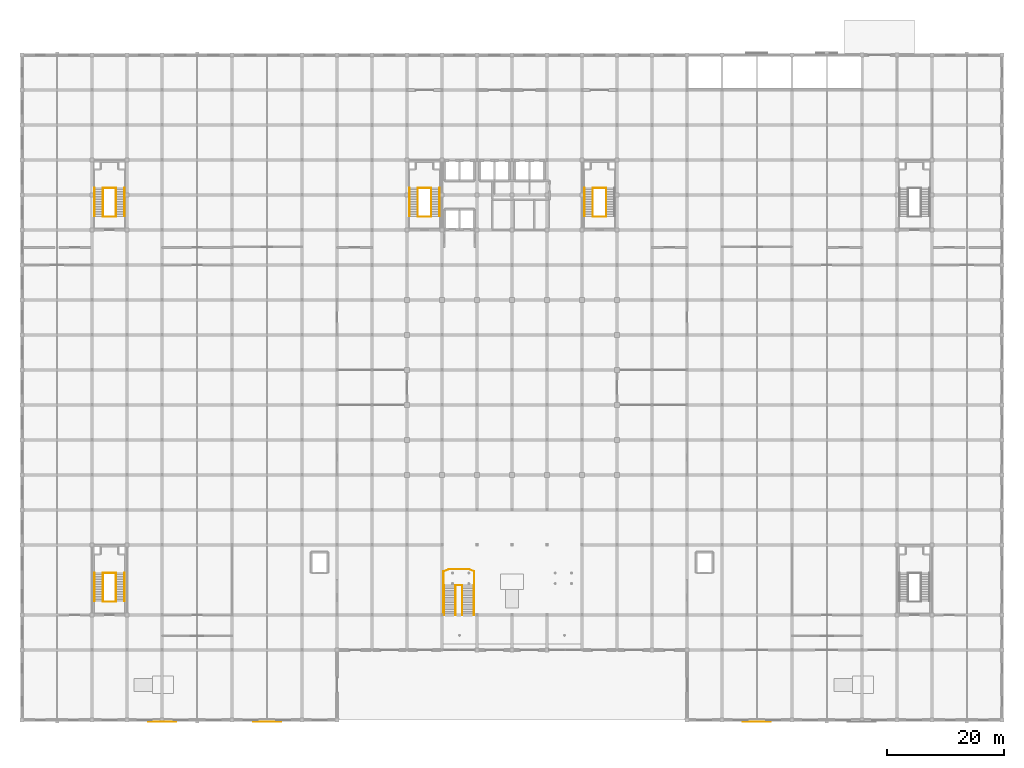
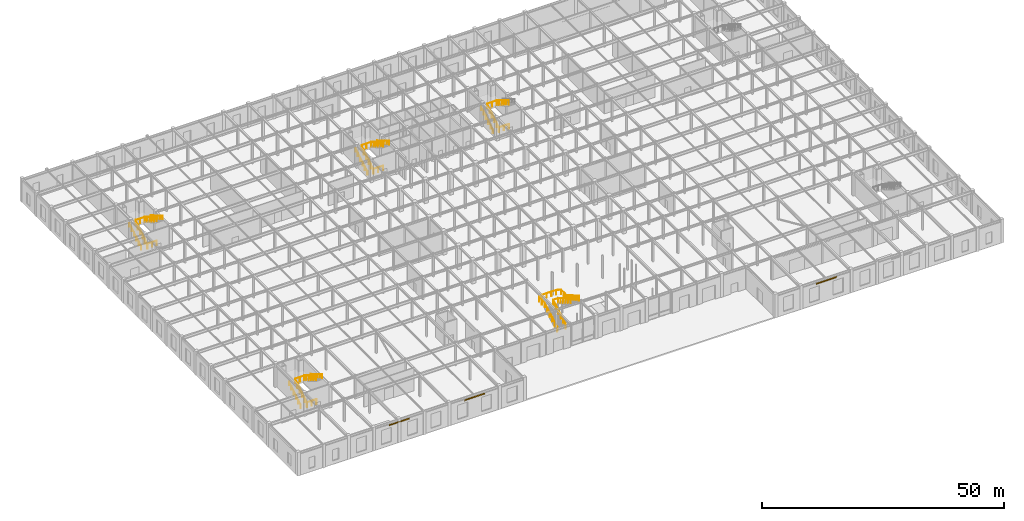
# One storey, part 50 of 51: 21 railings, 3 coverings.
"""IFC4 building model written with IfcOpenShell, lengths in metres."""

import ifcopenshell
import ifcopenshell.guid

model = None  # the IFC model being written
_history = None  # IfcOwnerHistory: only IFC2X3 demands one
_inside = {}  # id of a spatial element -> (the spatial element, [elements in it])
_under = {}  # id of a project, library or spatial element -> (it, [spatial elements below it])
_declared = {}  # id of a project -> (the project, [libraries it declares])
_typed = {}  # id of a type object -> (the type object, [elements of that type])
_made_of = {}  # id of a material, layer set ... -> (it, [elements and type objects made of it])


def new_model(schema):
    """Start an empty IFC model of exactly this schema.

    Asked for "IFC4X3", IfcOpenShell would pick the latest addendum, in which some entities
    have other attributes; the version numbers below select the first issue.
    IFC2X3 requires an IfcOwnerHistory on every rooted entity: one is made here for all.
    """
    global model, _history
    if schema == "IFC4X3":
        model = ifcopenshell.file(schema_version=(4, 3, 0, 0))
    else:
        model = ifcopenshell.file(schema=schema)
    _inside.clear()
    _under.clear()
    _declared.clear()
    _typed.clear()
    _made_of.clear()
    _history = None
    if model.schema == "IFC2X3":
        org = make("IfcOrganization", Name="unknown")
        user = make(
            "IfcPersonAndOrganization",
            ThePerson=make("IfcPerson", FamilyName="unknown"),
            TheOrganization=org,
        )
        app = make(
            "IfcApplication",
            ApplicationDeveloper=org,
            Version="unknown",
            ApplicationFullName="unknown",
            ApplicationIdentifier="unknown",
        )
        _history = make(
            "IfcOwnerHistory",
            OwningUser=user,
            OwningApplication=app,
            ChangeAction="ADDED",
            CreationDate=0,
        )
    return model


def make(cls, **values):
    """One entity of the class cls with the attributes given. An attribute that is None is left unset."""
    return model.create_entity(
        cls, **{name: value for name, value in values.items() if value is not None}
    )


def rooted(cls, **values):
    """An entity with a GlobalId (a new one), such as an element, a storey or a relation."""
    return make(cls, GlobalId=ifcopenshell.guid.new(), OwnerHistory=_history, **values)


def si_unit(unit_type, name, prefix=None):
    """IfcSIUnit, for example si_unit("LENGTHUNIT", "METRE", prefix="MILLI")."""
    return make("IfcSIUnit", UnitType=unit_type, Prefix=prefix, Name=name)


def assignment(units):
    """IfcUnitAssignment: the units of a project."""
    return None if units is None else make("IfcUnitAssignment", Units=units)


def point(xyz):
    """IfcCartesianPoint."""
    return None if xyz is None else make("IfcCartesianPoint", Coordinates=xyz)


def direction(xyz):
    """IfcDirection."""
    return None if xyz is None else make("IfcDirection", DirectionRatios=xyz)


def frame(location, z_axis=None, x_axis=None):
    """IfcAxis2Placement3D, a coordinate frame: its origin and axes. An axis left out is left unset."""
    return make(
        "IfcAxis2Placement3D",
        Location=point(location),
        Axis=direction(z_axis),
        RefDirection=direction(x_axis),
    )


def frame_2d(location, x_axis=None):
    """IfcAxis2Placement2D, a coordinate frame in the plane: its origin and x axis."""
    return make(
        "IfcAxis2Placement2D", Location=point(location), RefDirection=direction(x_axis)
    )


def origin():
    """The frame at (0, 0, 0) with its axes left unset."""
    return frame((0.0, 0.0, 0.0))


def origin_2d():
    """The frame at (0, 0) in the plane with its x axis left unset."""
    return frame_2d((0.0, 0.0))


def place(relative_to, where):
    """IfcLocalPlacement: puts the frame where relative to a parent placement (None: the world)."""
    return make(
        "IfcLocalPlacement", PlacementRelTo=relative_to, RelativePlacement=where
    )


def context(
    kind, dimensions, precision=None, world=None, true_north=None, identifier=None
):
    """IfcGeometricRepresentationContext, for example the 3D "Model" context."""
    return make(
        "IfcGeometricRepresentationContext",
        ContextIdentifier=identifier,
        ContextType=kind,
        CoordinateSpaceDimension=dimensions,
        Precision=precision,
        WorldCoordinateSystem=world,
        TrueNorth=true_north,
    )


def subcontext(parent, identifier, kind, view, scale=None):
    """IfcGeometricRepresentationSubContext, for example "Body" below "Model"."""
    return make(
        "IfcGeometricRepresentationSubContext",
        ContextIdentifier=identifier,
        ContextType=kind,
        ParentContext=parent,
        TargetScale=scale,
        TargetView=view,
    )


def project(units=None, contexts=None):
    """IfcProject with its units and contexts."""
    return rooted(
        "IfcProject",
        Name="project",
        RepresentationContexts=contexts,
        UnitsInContext=assignment(units),
    )


def spatial(cls, under=None, at=None, **own):
    """A site, building, storey or space (cls), placed at a placement, below another one or the project."""
    s = rooted(cls, ObjectPlacement=at, **own)
    if under is not None:
        _under.setdefault(under.id(), (under, []))[1].append(s)
    return s


def profile(cls, at=None, kind="AREA", **sizes):
    """A parametric profile (cls). Its sizes go by their IFC names, for example OverallWidth=200.0."""
    return make(cls, ProfileType=kind, Position=at, **sizes)


def rectangle(**sizes):
    """IfcRectangleProfileDef."""
    return profile("IfcRectangleProfileDef", **sizes)


def circle(**sizes):
    """IfcCircleProfileDef."""
    return profile("IfcCircleProfileDef", **sizes)


def extrude(swept, where, along, depth):
    """IfcExtrudedAreaSolid: the profile swept, set in the frame where, extruded along a direction by depth."""
    return make(
        "IfcExtrudedAreaSolid",
        SweptArea=swept,
        Position=where,
        ExtrudedDirection=direction(along),
        Depth=depth,
    )


def shape(context_of_items, identifier, shape_type, items):
    """IfcShapeRepresentation: the items that make up one representation, for example the "Body"."""
    return make(
        "IfcShapeRepresentation",
        ContextOfItems=context_of_items,
        RepresentationIdentifier=identifier,
        RepresentationType=shape_type,
        Items=items,
    )


def material(Name=None, Category=None):
    """IfcMaterial."""
    return make("IfcMaterial", Name=Name, Category=Category)


def layer(
    of_material, thickness, ventilated=None, Name=None, Category=None, Priority=None
):
    """IfcMaterialLayer: one layer of a wall or slab, of a material (None: an air gap)."""
    return make(
        "IfcMaterialLayer",
        Material=of_material,
        LayerThickness=thickness,
        IsVentilated=ventilated,
        Name=Name,
        Category=Category,
        Priority=Priority,
    )


def layer_set(layers, Name=None):
    """IfcMaterialLayerSet."""
    return make("IfcMaterialLayerSet", MaterialLayers=layers, LayerSetName=Name)


def made_of(thing, what):
    """Note that an element or type object is made of a material, layer set ...; save() writes the relation."""
    if what is not None:
        _made_of.setdefault(what.id(), (what, []))[1].append(thing)
    return thing


def type_object(cls, material=None, **own):
    """A type object (cls), such as IfcWallType, which elements share."""
    return made_of(rooted(cls, **own), material)


def element(
    cls,
    number,
    at=None,
    inside=None,
    cuts=None,
    type_object=None,
    material=None,
    context=None,
    identifier="Body",
    shape_type=None,
    held_by="IfcProductDefinitionShape",
    body=None,
    shapes=None,
    **own,
):
    """One element of the class cls, such as IfcWall. Its Tag is "e" and its number.

    at: its placement. inside: the storey or other place that contains it. cuts: it is an
    opening in that element (IfcRelVoidsElement). A single representation is given by context,
    identifier, shape_type and body (its items); several are given by shapes. held_by: the class
    of the entity that holds the representations. save() writes the other relations.
    """
    e = rooted(cls, Tag="e%d" % number, ObjectPlacement=at, **own)
    if body is not None:
        shapes = [shape(context, identifier, shape_type, body)]
    if shapes is not None:
        e.Representation = make(held_by, Representations=shapes)
    if inside is not None:
        _inside.setdefault(inside.id(), (inside, []))[1].append(e)
    if cuts is not None:
        rooted(
            "IfcRelVoidsElement", RelatingBuildingElement=cuts, RelatedOpeningElement=e
        )
    if type_object is not None:
        _typed.setdefault(type_object.id(), (type_object, []))[1].append(e)
    return made_of(e, material)


def aggregate(whole, parts):
    """IfcRelAggregates: a whole, such as a stair, and the parts it consists of."""
    return rooted("IfcRelAggregates", RelatingObject=whole, RelatedObjects=parts)


def save(model, path):
    """Write the relations noted so far, then the file.

    IfcRelAggregates (storeys below a building ...), IfcRelContainedInSpatialStructure (elements
    in a storey), IfcRelDefinesByType, IfcRelAssociatesMaterial and IfcRelDeclares: one each for
    every whole, place, type object, material and project.
    """
    for whole, parts in _under.values():
        aggregate(whole, parts)
    for where, things in _inside.values():
        rooted(
            "IfcRelContainedInSpatialStructure",
            RelatedElements=things,
            RelatingStructure=where,
        )
    for kind, things in _typed.values():
        rooted("IfcRelDefinesByType", RelatedObjects=things, RelatingType=kind)
    for what, things in _made_of.values():
        rooted("IfcRelAssociatesMaterial", RelatedObjects=things, RelatingMaterial=what)
    for by, libraries in _declared.values():
        rooted("IfcRelDeclares", RelatingContext=by, RelatedDefinitions=libraries)
    model.write(path)


model = new_model("IFC4")

# Units and contexts
model_context = context("Model", 3, precision=1e-05, world=origin(), true_north=direction((0.0, 1.0)))
body_context = subcontext(model_context, "Body", "Model", "MODEL_VIEW")
ifc_project = project(units=[si_unit("LENGTHUNIT", "METRE"), si_unit("AREAUNIT", "SQUARE_METRE"), si_unit("VOLUMEUNIT", "CUBIC_METRE"), si_unit("PLANEANGLEUNIT", "RADIAN"), si_unit("MASSUNIT", "GRAM", prefix="KILO")], contexts=[model_context])

# Site, building, storey
site_placement = place(None, origin())
site = spatial("IfcSite", under=ifc_project, at=site_placement, CompositionType="ELEMENT")
building_placement = place(site_placement, origin())
building = spatial("IfcBuilding", under=site, at=building_placement, Name="Zlatovratsky Civic Hall", CompositionType="ELEMENT")
storey_placement = place(building_placement, origin())
storey = spatial("IfcBuildingStorey", under=building, at=storey_placement, Name="L01", CompositionType="ELEMENT", Elevation=0.0)

# Coverings
ifc_material_1 = material(Name="Polished Karelian granite ashlar", Category="masonry")
ifc_layer = layer(ifc_material_1, 0.070068359375)
ifc_layer_set = layer_set([ifc_layer], Name="Polished Karelian granite ashlar")
covering_type = type_object("IfcCoveringType", Name="Covering_PlinthCladding_70", PredefinedType="CLADDING", material=ifc_layer_set)
for number, where, z_axis, x_axis, name in (
    (1, (24.0, -0.304931640625, 5.009765625), (0.0, 0.0, 1.0), (1.0, 0.0, 0.0), "CLD-001"),
    (2, (42.0, -0.304931640625, 5.009765625), (0.0, 0.0, 1.0), (1.0, 0.0, 0.0), "CLD-002"),
    (3, (126.0, -0.304931640625, 5.009765625), (0.0, 0.0, 1.0), (1.0, 0.0, 0.0), "CLD-003"),
):
    element("IfcCovering", number, at=place(storey_placement, frame(where, z_axis=z_axis, x_axis=x_axis)), inside=storey, type_object=covering_type, Name=name, PredefinedType="CLADDING", context=body_context, shape_type="SweptSolid", body=[
        extrude(rectangle(XDim=4.800048828125, YDim=0.070068359375, at=origin_2d()), origin(), (0.0, 0.0, 1.0), 0.300048828125),
    ])

# Railings
ifc_material_2 = material(Name="Brushed stainless steel AISI 304", Category="steel")
railing_type_1 = type_object("IfcRailingType", Name="Railing_Guardrail_1200", PredefinedType="GUARDRAIL", material=ifc_material_2)
railing_1_placement = place(storey_placement, frame((67.840087890625, 86.35009765625, 0.0)))
element("IfcRailing", 4, at=railing_1_placement, inside=storey, type_object=railing_type_1, Name="RL-0504", PredefinedType="GUARDRAIL", context=body_context, shape_type="SweptSolid", body=[
    extrude(circle(Radius=0.02392578125, at=origin_2d()), frame((0.0, 0.0, 1.17578125), z_axis=(0.0, 0.850207620408, 0.526447530339), x_axis=(-1.0, 0.0, 0.0)), (0.0, 0.0, 1.0), 5.698486328125),
    extrude(circle(Radius=0.02392578125, at=origin_2d()), frame((0.0, 4.844970703125, 4.17578125), z_axis=(1.0, 0.0, 0.0), x_axis=(0.0, 1.0, 0.0)), (0.0, 0.0, 1.0), 2.31982421875),
    extrude(circle(Radius=0.02392578125, at=origin_2d()), frame((2.31982421875, 4.844970703125, 4.17578125), z_axis=(0.0, -0.850207620408, 0.526447530339), x_axis=(1.0, 0.0, 0.0)), (0.0, 0.0, 1.0), 5.698486328125),
    extrude(circle(Radius=0.02099609375, at=origin_2d()), origin(), (0.0, 0.0, 1.0), 1.15185546875),
    extrude(circle(Radius=0.02099609375, at=origin_2d()), frame((0.0, 0.968994140625, 0.60009765625)), (0.0, 0.0, 1.0), 1.15185546875),
    extrude(circle(Radius=0.02099609375, at=origin_2d()), frame((0.0, 1.93798828125, 1.199951171875)), (0.0, 0.0, 1.0), 1.15185546875),
    extrude(circle(Radius=0.02099609375, at=origin_2d()), frame((0.0, 2.906982421875, 1.800048828125)), (0.0, 0.0, 1.0), 1.15185546875),
    extrude(circle(Radius=0.02099609375, at=origin_2d()), frame((0.0, 3.8759765625, 2.39990234375)), (0.0, 0.0, 1.0), 1.15185546875),
    extrude(circle(Radius=0.02099609375, at=origin_2d()), frame((0.0, 4.844970703125, 3.0)), (0.0, 0.0, 1.0), 1.15185546875),
    extrude(circle(Radius=0.02099609375, at=origin_2d()), frame((1.159912109375, 4.844970703125, 3.0)), (0.0, 0.0, 1.0), 1.15185546875),
    extrude(circle(Radius=0.02099609375, at=origin_2d()), frame((2.31982421875, 4.844970703125, 3.0)), (0.0, 0.0, 1.0), 1.15185546875),
    extrude(circle(Radius=0.02099609375, at=origin_2d()), frame((2.31982421875, 3.8759765625, 3.60009765625)), (0.0, 0.0, 1.0), 1.15185546875),
    extrude(circle(Radius=0.02099609375, at=origin_2d()), frame((2.31982421875, 2.906982421875, 4.199951171875)), (0.0, 0.0, 1.0), 1.15185546875),
    extrude(circle(Radius=0.02099609375, at=origin_2d()), frame((2.31982421875, 1.93798828125, 4.800048828125)), (0.0, 0.0, 1.0), 1.15185546875),
    extrude(circle(Radius=0.02099609375, at=origin_2d()), frame((2.31982421875, 0.968994140625, 5.39990234375)), (0.0, 0.0, 1.0), 1.15185546875),
    extrude(circle(Radius=0.02099609375, at=origin_2d()), frame((2.31982421875, 0.0, 6.0)), (0.0, 0.0, 1.0), 1.15185546875),
])
railing_2_placement = place(storey_placement, frame((67.840087890625, 86.27001953125, 0.0)))
element("IfcRailing", 5, at=railing_2_placement, inside=storey, type_object=railing_type_1, Name="RL-0507", PredefinedType="GUARDRAIL", context=body_context, shape_type="SweptSolid", body=[
    extrude(circle(Radius=0.02392578125, at=origin_2d()), frame((0.0, 0.0, 1.17578125), z_axis=(1.0, 0.0, 0.0), x_axis=(0.0, 1.0, 0.0)), (0.0, 0.0, 1.0), 2.31982421875),
    extrude(circle(Radius=0.02099609375, at=origin_2d()), origin(), (0.0, 0.0, 1.0), 1.15185546875),
    extrude(circle(Radius=0.02099609375, at=origin_2d()), frame((1.159912109375, 0.0, 0.0)), (0.0, 0.0, 1.0), 1.15185546875),
    extrude(circle(Radius=0.02099609375, at=origin_2d()), frame((2.31982421875, 0.0, 0.0)), (0.0, 0.0, 1.0), 1.15185546875),
])
railing_3_placement = place(storey_placement, frame((97.840087890625, 86.35009765625, 0.0)))
element("IfcRailing", 6, at=railing_3_placement, inside=storey, type_object=railing_type_1, Name="RL-0580", PredefinedType="GUARDRAIL", context=body_context, shape_type="SweptSolid", body=[
    extrude(circle(Radius=0.02392578125, at=origin_2d()), frame((0.0, 0.0, 1.17578125), z_axis=(0.0, 0.850207620408, 0.526447530339), x_axis=(-1.0, 0.0, 0.0)), (0.0, 0.0, 1.0), 5.698486328125),
    extrude(circle(Radius=0.02392578125, at=origin_2d()), frame((0.0, 4.844970703125, 4.17578125), z_axis=(1.0, 0.0, 0.0), x_axis=(0.0, 1.0, 0.0)), (0.0, 0.0, 1.0), 2.31982421875),
    extrude(circle(Radius=0.02392578125, at=origin_2d()), frame((2.31982421875, 4.844970703125, 4.17578125), z_axis=(0.0, -0.850207620408, 0.526447530339), x_axis=(1.0, 0.0, 0.0)), (0.0, 0.0, 1.0), 5.698486328125),
    extrude(circle(Radius=0.02099609375, at=origin_2d()), origin(), (0.0, 0.0, 1.0), 1.15185546875),
    extrude(circle(Radius=0.02099609375, at=origin_2d()), frame((0.0, 0.968994140625, 0.60009765625)), (0.0, 0.0, 1.0), 1.15185546875),
    extrude(circle(Radius=0.02099609375, at=origin_2d()), frame((0.0, 1.93798828125, 1.199951171875)), (0.0, 0.0, 1.0), 1.15185546875),
    extrude(circle(Radius=0.02099609375, at=origin_2d()), frame((0.0, 2.906982421875, 1.800048828125)), (0.0, 0.0, 1.0), 1.15185546875),
    extrude(circle(Radius=0.02099609375, at=origin_2d()), frame((0.0, 3.8759765625, 2.39990234375)), (0.0, 0.0, 1.0), 1.15185546875),
    extrude(circle(Radius=0.02099609375, at=origin_2d()), frame((0.0, 4.844970703125, 3.0)), (0.0, 0.0, 1.0), 1.15185546875),
    extrude(circle(Radius=0.02099609375, at=origin_2d()), frame((1.159912109375, 4.844970703125, 3.0)), (0.0, 0.0, 1.0), 1.15185546875),
    extrude(circle(Radius=0.02099609375, at=origin_2d()), frame((2.31982421875, 4.844970703125, 3.0)), (0.0, 0.0, 1.0), 1.15185546875),
    extrude(circle(Radius=0.02099609375, at=origin_2d()), frame((2.31982421875, 3.8759765625, 3.60009765625)), (0.0, 0.0, 1.0), 1.15185546875),
    extrude(circle(Radius=0.02099609375, at=origin_2d()), frame((2.31982421875, 2.906982421875, 4.199951171875)), (0.0, 0.0, 1.0), 1.15185546875),
    extrude(circle(Radius=0.02099609375, at=origin_2d()), frame((2.31982421875, 1.93798828125, 4.800048828125)), (0.0, 0.0, 1.0), 1.15185546875),
    extrude(circle(Radius=0.02099609375, at=origin_2d()), frame((2.31982421875, 0.968994140625, 5.39990234375)), (0.0, 0.0, 1.0), 1.15185546875),
    extrude(circle(Radius=0.02099609375, at=origin_2d()), frame((2.31982421875, 0.0, 6.0)), (0.0, 0.0, 1.0), 1.15185546875),
])
railing_4_placement = place(storey_placement, frame((97.840087890625, 86.27001953125, 0.0)))
element("IfcRailing", 7, at=railing_4_placement, inside=storey, type_object=railing_type_1, Name="RL-0583", PredefinedType="GUARDRAIL", context=body_context, shape_type="SweptSolid", body=[
    extrude(circle(Radius=0.02392578125, at=origin_2d()), frame((0.0, 0.0, 1.17578125), z_axis=(1.0, 0.0, 0.0), x_axis=(0.0, 1.0, 0.0)), (0.0, 0.0, 1.0), 2.31982421875),
    extrude(circle(Radius=0.02099609375, at=origin_2d()), origin(), (0.0, 0.0, 1.0), 1.15185546875),
    extrude(circle(Radius=0.02099609375, at=origin_2d()), frame((1.159912109375, 0.0, 0.0)), (0.0, 0.0, 1.0), 1.15185546875),
    extrude(circle(Radius=0.02099609375, at=origin_2d()), frame((2.31982421875, 0.0, 0.0)), (0.0, 0.0, 1.0), 1.15185546875),
])
railing_5_placement = place(storey_placement, frame((13.889892578125, 20.35009765625, 0.0)))
element("IfcRailing", 8, at=railing_5_placement, inside=storey, type_object=railing_type_1, Name="RL-0652", PredefinedType="GUARDRAIL", context=body_context, shape_type="SweptSolid", body=[
    extrude(circle(Radius=0.02392578125, at=origin_2d()), frame((0.0, 0.0, 1.17578125), z_axis=(0.0, 0.850207620408, 0.526447530339), x_axis=(-1.0, 0.0, 0.0)), (0.0, 0.0, 1.0), 5.698486328125),
    extrude(circle(Radius=0.02392578125, at=origin_2d()), frame((0.0, 4.844970703125, 4.17578125), z_axis=(1.0, 0.0, 0.0), x_axis=(0.0, 1.0, 0.0)), (0.0, 0.0, 1.0), 2.22021484375),
    extrude(circle(Radius=0.02392578125, at=origin_2d()), frame((2.22021484375, 4.844970703125, 4.17578125), z_axis=(0.0, -0.850207620408, 0.526447530339), x_axis=(1.0, 0.0, 0.0)), (0.0, 0.0, 1.0), 5.698486328125),
    extrude(circle(Radius=0.02099609375, at=origin_2d()), origin(), (0.0, 0.0, 1.0), 1.15185546875),
    extrude(circle(Radius=0.02099609375, at=origin_2d()), frame((0.0, 0.968994140625, 0.60009765625)), (0.0, 0.0, 1.0), 1.15185546875),
    extrude(circle(Radius=0.02099609375, at=origin_2d()), frame((0.0, 1.93798828125, 1.199951171875)), (0.0, 0.0, 1.0), 1.15185546875),
    extrude(circle(Radius=0.02099609375, at=origin_2d()), frame((0.0, 2.906982421875, 1.800048828125)), (0.0, 0.0, 1.0), 1.15185546875),
    extrude(circle(Radius=0.02099609375, at=origin_2d()), frame((0.0, 3.8759765625, 2.39990234375)), (0.0, 0.0, 1.0), 1.15185546875),
    extrude(circle(Radius=0.02099609375, at=origin_2d()), frame((0.0, 4.844970703125, 3.0)), (0.0, 0.0, 1.0), 1.15185546875),
    extrude(circle(Radius=0.02099609375, at=origin_2d()), frame((1.110107421875, 4.844970703125, 3.0)), (0.0, 0.0, 1.0), 1.15185546875),
    extrude(circle(Radius=0.02099609375, at=origin_2d()), frame((2.22021484375, 4.844970703125, 3.0)), (0.0, 0.0, 1.0), 1.15185546875),
    extrude(circle(Radius=0.02099609375, at=origin_2d()), frame((2.22021484375, 3.8759765625, 3.60009765625)), (0.0, 0.0, 1.0), 1.15185546875),
    extrude(circle(Radius=0.02099609375, at=origin_2d()), frame((2.22021484375, 2.906982421875, 4.199951171875)), (0.0, 0.0, 1.0), 1.15185546875),
    extrude(circle(Radius=0.02099609375, at=origin_2d()), frame((2.22021484375, 1.93798828125, 4.800048828125)), (0.0, 0.0, 1.0), 1.15185546875),
    extrude(circle(Radius=0.02099609375, at=origin_2d()), frame((2.22021484375, 0.968994140625, 5.39990234375)), (0.0, 0.0, 1.0), 1.15185546875),
    extrude(circle(Radius=0.02099609375, at=origin_2d()), frame((2.22021484375, 0.0, 6.0)), (0.0, 0.0, 1.0), 1.15185546875),
])
railing_6_placement = place(storey_placement, frame((13.889892578125, 20.27001953125, 0.0)))
element("IfcRailing", 9, at=railing_6_placement, inside=storey, type_object=railing_type_1, Name="RL-0655", PredefinedType="GUARDRAIL", context=body_context, shape_type="SweptSolid", body=[
    extrude(circle(Radius=0.02392578125, at=origin_2d()), frame((0.0, 0.0, 1.17578125), z_axis=(1.0, 0.0, 0.0), x_axis=(0.0, 1.0, 0.0)), (0.0, 0.0, 1.0), 2.22021484375),
    extrude(circle(Radius=0.02099609375, at=origin_2d()), origin(), (0.0, 0.0, 1.0), 1.15185546875),
    extrude(circle(Radius=0.02099609375, at=origin_2d()), frame((1.110107421875, 0.0, 0.0)), (0.0, 0.0, 1.0), 1.15185546875),
    extrude(circle(Radius=0.02099609375, at=origin_2d()), frame((2.22021484375, 0.0, 0.0)), (0.0, 0.0, 1.0), 1.15185546875),
])
railing_7_placement = place(storey_placement, frame((13.889892578125, 86.35009765625, 0.0)))
element("IfcRailing", 10, at=railing_7_placement, inside=storey, type_object=railing_type_1, Name="RL-0684", PredefinedType="GUARDRAIL", context=body_context, shape_type="SweptSolid", body=[
    extrude(circle(Radius=0.02392578125, at=origin_2d()), frame((0.0, 0.0, 1.17578125), z_axis=(0.0, 0.850207620408, 0.526447530339), x_axis=(-1.0, 0.0, 0.0)), (0.0, 0.0, 1.0), 5.698486328125),
    extrude(circle(Radius=0.02392578125, at=origin_2d()), frame((0.0, 4.844970703125, 4.17578125), z_axis=(1.0, 0.0, 0.0), x_axis=(0.0, 1.0, 0.0)), (0.0, 0.0, 1.0), 2.22021484375),
    extrude(circle(Radius=0.02392578125, at=origin_2d()), frame((2.22021484375, 4.844970703125, 4.17578125), z_axis=(0.0, -0.850207620408, 0.526447530339), x_axis=(1.0, 0.0, 0.0)), (0.0, 0.0, 1.0), 5.698486328125),
    extrude(circle(Radius=0.02099609375, at=origin_2d()), origin(), (0.0, 0.0, 1.0), 1.15185546875),
    extrude(circle(Radius=0.02099609375, at=origin_2d()), frame((0.0, 0.968994140625, 0.60009765625)), (0.0, 0.0, 1.0), 1.15185546875),
    extrude(circle(Radius=0.02099609375, at=origin_2d()), frame((0.0, 1.93798828125, 1.199951171875)), (0.0, 0.0, 1.0), 1.15185546875),
    extrude(circle(Radius=0.02099609375, at=origin_2d()), frame((0.0, 2.906982421875, 1.800048828125)), (0.0, 0.0, 1.0), 1.15185546875),
    extrude(circle(Radius=0.02099609375, at=origin_2d()), frame((0.0, 3.8759765625, 2.39990234375)), (0.0, 0.0, 1.0), 1.15185546875),
    extrude(circle(Radius=0.02099609375, at=origin_2d()), frame((0.0, 4.844970703125, 3.0)), (0.0, 0.0, 1.0), 1.15185546875),
    extrude(circle(Radius=0.02099609375, at=origin_2d()), frame((1.110107421875, 4.844970703125, 3.0)), (0.0, 0.0, 1.0), 1.15185546875),
    extrude(circle(Radius=0.02099609375, at=origin_2d()), frame((2.22021484375, 4.844970703125, 3.0)), (0.0, 0.0, 1.0), 1.15185546875),
    extrude(circle(Radius=0.02099609375, at=origin_2d()), frame((2.22021484375, 3.8759765625, 3.60009765625)), (0.0, 0.0, 1.0), 1.15185546875),
    extrude(circle(Radius=0.02099609375, at=origin_2d()), frame((2.22021484375, 2.906982421875, 4.199951171875)), (0.0, 0.0, 1.0), 1.15185546875),
    extrude(circle(Radius=0.02099609375, at=origin_2d()), frame((2.22021484375, 1.93798828125, 4.800048828125)), (0.0, 0.0, 1.0), 1.15185546875),
    extrude(circle(Radius=0.02099609375, at=origin_2d()), frame((2.22021484375, 0.968994140625, 5.39990234375)), (0.0, 0.0, 1.0), 1.15185546875),
    extrude(circle(Radius=0.02099609375, at=origin_2d()), frame((2.22021484375, 0.0, 6.0)), (0.0, 0.0, 1.0), 1.15185546875),
])
railing_8_placement = place(storey_placement, frame((13.889892578125, 86.27001953125, 0.0)))
element("IfcRailing", 11, at=railing_8_placement, inside=storey, type_object=railing_type_1, Name="RL-0687", PredefinedType="GUARDRAIL", context=body_context, shape_type="SweptSolid", body=[
    extrude(circle(Radius=0.02392578125, at=origin_2d()), frame((0.0, 0.0, 1.17578125), z_axis=(1.0, 0.0, 0.0), x_axis=(0.0, 1.0, 0.0)), (0.0, 0.0, 1.0), 2.22021484375),
    extrude(circle(Radius=0.02099609375, at=origin_2d()), origin(), (0.0, 0.0, 1.0), 1.15185546875),
    extrude(circle(Radius=0.02099609375, at=origin_2d()), frame((1.110107421875, 0.0, 0.0)), (0.0, 0.0, 1.0), 1.15185546875),
    extrude(circle(Radius=0.02099609375, at=origin_2d()), frame((2.22021484375, 0.0, 0.0)), (0.0, 0.0, 1.0), 1.15185546875),
])
railing_9_placement = place(storey_placement, frame((72.280029296875, 23.10009765625, 3.0)))
element("IfcRailing", 12, at=railing_9_placement, inside=storey, type_object=railing_type_1, Name="RL-0713", PredefinedType="GUARDRAIL", context=body_context, shape_type="SweptSolid", body=[
    extrude(circle(Radius=0.02392578125, at=origin_2d()), frame((0.0, 0.0, 1.17578125), z_axis=(0.0, 1.0, 0.0), x_axis=(-1.0, 0.0, 0.0)), (0.0, 0.0, 1.0), 2.35986328125),
    extrude(circle(Radius=0.02392578125, at=origin_2d()), frame((0.0, 2.35986328125, 1.17578125), z_axis=(0.927058431339, 0.374916877298, 0.0), x_axis=(-0.374916877298, 0.927058431339, 0.0)), (0.0, 0.0, 1.0), 1.013916015625),
    extrude(circle(Radius=0.02392578125, at=origin_2d()), frame((0.93994140625, 2.739990234375, 1.17578125), z_axis=(1.0, 0.0, 0.0), x_axis=(0.0, 1.0, 0.0)), (0.0, 0.0, 1.0), 3.360107421875),
    extrude(circle(Radius=0.02392578125, at=origin_2d()), frame((4.300048828125, 2.739990234375, 1.17578125), z_axis=(0.927058431339, -0.374916877298, 0.0), x_axis=(0.374916877298, 0.927058431339, 0.0)), (0.0, 0.0, 1.0), 1.013916015625),
    extrude(circle(Radius=0.02392578125, at=origin_2d()), frame((5.239990234375, 2.35986328125, 1.17578125), z_axis=(0.0, -1.0, 0.0), x_axis=(1.0, 0.0, 0.0)), (0.0, 0.0, 1.0), 2.35986328125),
    extrude(circle(Radius=0.02099609375, at=origin_2d()), origin(), (0.0, 0.0, 1.0), 1.15185546875),
    extrude(circle(Radius=0.02099609375, at=origin_2d()), frame((0.0, 1.179931640625, 0.0)), (0.0, 0.0, 1.0), 1.15185546875),
    extrude(circle(Radius=0.02099609375, at=origin_2d()), frame((0.0, 2.35986328125, 0.0)), (0.0, 0.0, 1.0), 1.15185546875),
    extrude(circle(Radius=0.02099609375, at=origin_2d()), frame((0.93994140625, 2.739990234375, 0.0)), (0.0, 0.0, 1.0), 1.15185546875),
    extrude(circle(Radius=0.02099609375, at=origin_2d()), frame((2.06005859375, 2.739990234375, 0.0)), (0.0, 0.0, 1.0), 1.15185546875),
    extrude(circle(Radius=0.02099609375, at=origin_2d()), frame((3.179931640625, 2.739990234375, 0.0)), (0.0, 0.0, 1.0), 1.15185546875),
    extrude(circle(Radius=0.02099609375, at=origin_2d()), frame((4.300048828125, 2.739990234375, 0.0)), (0.0, 0.0, 1.0), 1.15185546875),
    extrude(circle(Radius=0.02099609375, at=origin_2d()), frame((5.239990234375, 2.35986328125, 0.0)), (0.0, 0.0, 1.0), 1.15185546875),
    extrude(circle(Radius=0.02099609375, at=origin_2d()), frame((5.239990234375, 1.179931640625, 0.0)), (0.0, 0.0, 1.0), 1.15185546875),
    extrude(circle(Radius=0.02099609375, at=origin_2d()), frame((5.239990234375, 0.0, 0.0)), (0.0, 0.0, 1.0), 1.15185546875),
])
railing_10_placement = place(storey_placement, frame((74.320068359375, 18.0, 0.0)))
element("IfcRailing", 13, at=railing_10_placement, inside=storey, type_object=railing_type_1, Name="RL-0714", PredefinedType="GUARDRAIL", context=body_context, shape_type="SweptSolid", body=[
    extrude(circle(Radius=0.02392578125, at=origin_2d()), frame((0.0, 0.0, 1.17578125), z_axis=(0.0, 0.861938457885, 0.507012913858), x_axis=(-1.0, 0.0, 0.0)), (0.0, 0.0, 1.0), 5.9169921875),
    extrude(circle(Radius=0.02392578125, at=origin_2d()), frame((0.0, 5.10009765625, 4.17578125), z_axis=(1.0, 0.0, 0.0), x_axis=(0.0, 1.0, 0.0)), (0.0, 0.0, 1.0), 1.159912109375),
    extrude(circle(Radius=0.02392578125, at=origin_2d()), frame((1.159912109375, 5.10009765625, 4.17578125), z_axis=(0.0, -0.861938457885, 0.507012913858), x_axis=(1.0, 0.0, 0.0)), (0.0, 0.0, 1.0), 5.9169921875),
    extrude(circle(Radius=0.02099609375, at=origin_2d()), origin(), (0.0, 0.0, 1.0), 1.15185546875),
    extrude(circle(Radius=0.02099609375, at=origin_2d()), frame((0.0, 1.02001953125, 0.60009765625)), (0.0, 0.0, 1.0), 1.15185546875),
    extrude(circle(Radius=0.02099609375, at=origin_2d()), frame((0.0, 2.0400390625, 1.199951171875)), (0.0, 0.0, 1.0), 1.15185546875),
    extrude(circle(Radius=0.02099609375, at=origin_2d()), frame((0.0, 3.06005859375, 1.800048828125)), (0.0, 0.0, 1.0), 1.15185546875),
    extrude(circle(Radius=0.02099609375, at=origin_2d()), frame((0.0, 4.080078125, 2.39990234375)), (0.0, 0.0, 1.0), 1.15185546875),
    extrude(circle(Radius=0.02099609375, at=origin_2d()), frame((0.0, 5.10009765625, 3.0)), (0.0, 0.0, 1.0), 1.15185546875),
    extrude(circle(Radius=0.02099609375, at=origin_2d()), frame((1.159912109375, 5.10009765625, 3.0)), (0.0, 0.0, 1.0), 1.15185546875),
    extrude(circle(Radius=0.02099609375, at=origin_2d()), frame((1.159912109375, 4.080078125, 3.60009765625)), (0.0, 0.0, 1.0), 1.15185546875),
    extrude(circle(Radius=0.02099609375, at=origin_2d()), frame((1.159912109375, 3.06005859375, 4.199951171875)), (0.0, 0.0, 1.0), 1.15185546875),
    extrude(circle(Radius=0.02099609375, at=origin_2d()), frame((1.159912109375, 2.0400390625, 4.800048828125)), (0.0, 0.0, 1.0), 1.15185546875),
    extrude(circle(Radius=0.02099609375, at=origin_2d()), frame((1.159912109375, 1.02001953125, 5.39990234375)), (0.0, 0.0, 1.0), 1.15185546875),
    extrude(circle(Radius=0.02099609375, at=origin_2d()), frame((1.159912109375, 0.0, 6.0)), (0.0, 0.0, 1.0), 1.15185546875),
])
railing_11_placement = place(storey_placement, frame((72.280029296875, 18.0, 0.0)))
element("IfcRailing", 14, at=railing_11_placement, inside=storey, type_object=railing_type_1, Name="RL-0715", PredefinedType="GUARDRAIL", context=body_context, shape_type="SweptSolid", body=[
    extrude(circle(Radius=0.02392578125, at=origin_2d()), frame((0.0, 0.0, 1.17578125), z_axis=(0.0, 0.861938457885, 0.507012913858), x_axis=(-1.0, 0.0, 0.0)), (0.0, 0.0, 1.0), 5.9169921875),
    extrude(circle(Radius=0.02099609375, at=origin_2d()), origin(), (0.0, 0.0, 1.0), 1.15185546875),
    extrude(circle(Radius=0.02099609375, at=origin_2d()), frame((0.0, 1.02001953125, 0.60009765625)), (0.0, 0.0, 1.0), 1.15185546875),
    extrude(circle(Radius=0.02099609375, at=origin_2d()), frame((0.0, 2.0400390625, 1.199951171875)), (0.0, 0.0, 1.0), 1.15185546875),
    extrude(circle(Radius=0.02099609375, at=origin_2d()), frame((0.0, 3.06005859375, 1.800048828125)), (0.0, 0.0, 1.0), 1.15185546875),
    extrude(circle(Radius=0.02099609375, at=origin_2d()), frame((0.0, 4.080078125, 2.39990234375)), (0.0, 0.0, 1.0), 1.15185546875),
    extrude(circle(Radius=0.02099609375, at=origin_2d()), frame((0.0, 5.10009765625, 3.0)), (0.0, 0.0, 1.0), 1.15185546875),
])
railing_12_placement = place(storey_placement, frame((77.52001953125, 23.10009765625, 3.0)))
element("IfcRailing", 15, at=railing_12_placement, inside=storey, type_object=railing_type_1, Name="RL-0716", PredefinedType="GUARDRAIL", context=body_context, shape_type="SweptSolid", body=[
    extrude(circle(Radius=0.02392578125, at=origin_2d()), frame((0.0, 0.0, 1.17578125), z_axis=(0.0, -0.861938457885, 0.507012913858), x_axis=(1.0, 0.0, 0.0)), (0.0, 0.0, 1.0), 5.9169921875),
    extrude(circle(Radius=0.02099609375, at=origin_2d()), origin(), (0.0, 0.0, 1.0), 1.15185546875),
    extrude(circle(Radius=0.02099609375, at=origin_2d()), frame((0.0, -1.02001953125, 0.60009765625)), (0.0, 0.0, 1.0), 1.15185546875),
    extrude(circle(Radius=0.02099609375, at=origin_2d()), frame((0.0, -2.0400390625, 1.199951171875)), (0.0, 0.0, 1.0), 1.15185546875),
    extrude(circle(Radius=0.02099609375, at=origin_2d()), frame((0.0, -3.06005859375, 1.800048828125)), (0.0, 0.0, 1.0), 1.15185546875),
    extrude(circle(Radius=0.02099609375, at=origin_2d()), frame((0.0, -4.080078125, 2.39990234375)), (0.0, 0.0, 1.0), 1.15185546875),
    extrude(circle(Radius=0.02099609375, at=origin_2d()), frame((0.0, -5.10009765625, 3.0)), (0.0, 0.0, 1.0), 1.15185546875),
])
railing_type_2 = type_object("IfcRailingType", Name="Railing_Handrail_900", PredefinedType="HANDRAIL", material=ifc_material_2)
railing_13_placement = place(storey_placement, frame((66.429931640625, 86.35009765625, 0.1669921875)))
element("IfcRailing", 16, at=railing_13_placement, inside=storey, type_object=railing_type_2, Name="RL-0505", PredefinedType="HANDRAIL", context=body_context, shape_type="SweptSolid", body=[
    extrude(circle(Radius=0.02392578125, at=origin_2d()), frame((0.0, 0.0, 0.8759765625), z_axis=(0.0, 0.86325305323, 0.504771399833), x_axis=(-1.0, 0.0, 0.0)), (0.0, 0.0, 1.0), 5.612548828125),
    extrude(circle(Radius=0.02099609375, at=origin_2d()), origin(), (0.0, 0.0, 1.0), 0.851806640625),
    extrude(circle(Radius=0.02099609375, at=origin_2d()), frame((0.0, 0.968994140625, 0.566650390625)), (0.0, 0.0, 1.0), 0.851806640625),
    extrude(circle(Radius=0.02099609375, at=origin_2d()), frame((0.0, 1.93798828125, 1.13330078125)), (0.0, 0.0, 1.0), 0.851806640625),
    extrude(circle(Radius=0.02099609375, at=origin_2d()), frame((0.0, 2.906982421875, 1.69970703125)), (0.0, 0.0, 1.0), 0.851806640625),
    extrude(circle(Radius=0.02099609375, at=origin_2d()), frame((0.0, 3.8759765625, 2.266357421875)), (0.0, 0.0, 1.0), 0.851806640625),
    extrude(circle(Radius=0.02099609375, at=origin_2d()), frame((0.0, 4.844970703125, 2.8330078125)), (0.0, 0.0, 1.0), 0.851806640625),
])
railing_14_placement = place(storey_placement, frame((71.570068359375, 91.195068359375, 3.1669921875)))
element("IfcRailing", 17, at=railing_14_placement, inside=storey, type_object=railing_type_2, Name="RL-0506", PredefinedType="HANDRAIL", context=body_context, shape_type="SweptSolid", body=[
    extrude(circle(Radius=0.02392578125, at=origin_2d()), frame((0.0, 0.0, 0.8759765625), z_axis=(0.0, -0.86325305323, 0.504771399833), x_axis=(1.0, 0.0, 0.0)), (0.0, 0.0, 1.0), 5.612548828125),
    extrude(circle(Radius=0.02099609375, at=origin_2d()), origin(), (0.0, 0.0, 1.0), 0.851806640625),
    extrude(circle(Radius=0.02099609375, at=origin_2d()), frame((0.0, -0.968994140625, 0.566650390625)), (0.0, 0.0, 1.0), 0.851806640625),
    extrude(circle(Radius=0.02099609375, at=origin_2d()), frame((0.0, -1.93798828125, 1.13330078125)), (0.0, 0.0, 1.0), 0.851806640625),
    extrude(circle(Radius=0.02099609375, at=origin_2d()), frame((0.0, -2.906982421875, 1.69970703125)), (0.0, 0.0, 1.0), 0.851806640625),
    extrude(circle(Radius=0.02099609375, at=origin_2d()), frame((0.0, -3.8759765625, 2.266357421875)), (0.0, 0.0, 1.0), 0.851806640625),
    extrude(circle(Radius=0.02099609375, at=origin_2d()), frame((0.0, -4.844970703125, 2.8330078125)), (0.0, 0.0, 1.0), 0.851806640625),
])
for number, where, name in (
    (18, (96.429931640625, 86.35009765625, 0.1669921875), "RL-0581"),
    (19, (12.429931640625, 20.35009765625, 0.1669921875), "RL-0653"),
):
    element("IfcRailing", number, at=place(storey_placement, frame(where)), inside=storey, type_object=railing_type_2, Name=name, PredefinedType="HANDRAIL", context=body_context, shape_type="SweptSolid", body=[
        extrude(circle(Radius=0.02392578125, at=origin_2d()), frame((0.0, 0.0, 0.8759765625), z_axis=(0.0, 0.86325305323, 0.504771399833), x_axis=(-1.0, 0.0, 0.0)), (0.0, 0.0, 1.0), 5.612548828125),
        extrude(circle(Radius=0.02099609375, at=origin_2d()), origin(), (0.0, 0.0, 1.0), 0.851806640625),
        extrude(circle(Radius=0.02099609375, at=origin_2d()), frame((0.0, 0.968994140625, 0.566650390625)), (0.0, 0.0, 1.0), 0.851806640625),
        extrude(circle(Radius=0.02099609375, at=origin_2d()), frame((0.0, 1.93798828125, 1.13330078125)), (0.0, 0.0, 1.0), 0.851806640625),
        extrude(circle(Radius=0.02099609375, at=origin_2d()), frame((0.0, 2.906982421875, 1.69970703125)), (0.0, 0.0, 1.0), 0.851806640625),
        extrude(circle(Radius=0.02099609375, at=origin_2d()), frame((0.0, 3.8759765625, 2.266357421875)), (0.0, 0.0, 1.0), 0.851806640625),
        extrude(circle(Radius=0.02099609375, at=origin_2d()), frame((0.0, 4.844970703125, 2.8330078125)), (0.0, 0.0, 1.0), 0.851806640625),
    ])
railing_15_placement = place(storey_placement, frame((17.570068359375, 25.195068359375, 3.1669921875)))
element("IfcRailing", 20, at=railing_15_placement, inside=storey, type_object=railing_type_2, Name="RL-0654", PredefinedType="HANDRAIL", context=body_context, shape_type="SweptSolid", body=[
    extrude(circle(Radius=0.02392578125, at=origin_2d()), frame((0.0, 0.0, 0.8759765625), z_axis=(0.0, -0.86325305323, 0.504771399833), x_axis=(1.0, 0.0, 0.0)), (0.0, 0.0, 1.0), 5.612548828125),
    extrude(circle(Radius=0.02099609375, at=origin_2d()), origin(), (0.0, 0.0, 1.0), 0.851806640625),
    extrude(circle(Radius=0.02099609375, at=origin_2d()), frame((0.0, -0.968994140625, 0.566650390625)), (0.0, 0.0, 1.0), 0.851806640625),
    extrude(circle(Radius=0.02099609375, at=origin_2d()), frame((0.0, -1.93798828125, 1.13330078125)), (0.0, 0.0, 1.0), 0.851806640625),
    extrude(circle(Radius=0.02099609375, at=origin_2d()), frame((0.0, -2.906982421875, 1.69970703125)), (0.0, 0.0, 1.0), 0.851806640625),
    extrude(circle(Radius=0.02099609375, at=origin_2d()), frame((0.0, -3.8759765625, 2.266357421875)), (0.0, 0.0, 1.0), 0.851806640625),
    extrude(circle(Radius=0.02099609375, at=origin_2d()), frame((0.0, -4.844970703125, 2.8330078125)), (0.0, 0.0, 1.0), 0.851806640625),
])
railing_16_placement = place(storey_placement, frame((12.429931640625, 86.35009765625, 0.1669921875)))
element("IfcRailing", 21, at=railing_16_placement, inside=storey, type_object=railing_type_2, Name="RL-0685", PredefinedType="HANDRAIL", context=body_context, shape_type="SweptSolid", body=[
    extrude(circle(Radius=0.02392578125, at=origin_2d()), frame((0.0, 0.0, 0.8759765625), z_axis=(0.0, 0.86325305323, 0.504771399833), x_axis=(-1.0, 0.0, 0.0)), (0.0, 0.0, 1.0), 5.612548828125),
    extrude(circle(Radius=0.02099609375, at=origin_2d()), origin(), (0.0, 0.0, 1.0), 0.851806640625),
    extrude(circle(Radius=0.02099609375, at=origin_2d()), frame((0.0, 0.968994140625, 0.566650390625)), (0.0, 0.0, 1.0), 0.851806640625),
    extrude(circle(Radius=0.02099609375, at=origin_2d()), frame((0.0, 1.93798828125, 1.13330078125)), (0.0, 0.0, 1.0), 0.851806640625),
    extrude(circle(Radius=0.02099609375, at=origin_2d()), frame((0.0, 2.906982421875, 1.69970703125)), (0.0, 0.0, 1.0), 0.851806640625),
    extrude(circle(Radius=0.02099609375, at=origin_2d()), frame((0.0, 3.8759765625, 2.266357421875)), (0.0, 0.0, 1.0), 0.851806640625),
    extrude(circle(Radius=0.02099609375, at=origin_2d()), frame((0.0, 4.844970703125, 2.8330078125)), (0.0, 0.0, 1.0), 0.851806640625),
])
railing_17_placement = place(storey_placement, frame((17.570068359375, 91.195068359375, 3.1669921875)))
element("IfcRailing", 22, at=railing_17_placement, inside=storey, type_object=railing_type_2, Name="RL-0686", PredefinedType="HANDRAIL", context=body_context, shape_type="SweptSolid", body=[
    extrude(circle(Radius=0.02392578125, at=origin_2d()), frame((0.0, 0.0, 0.8759765625), z_axis=(0.0, -0.86325305323, 0.504771399833), x_axis=(1.0, 0.0, 0.0)), (0.0, 0.0, 1.0), 5.612548828125),
    extrude(circle(Radius=0.02099609375, at=origin_2d()), origin(), (0.0, 0.0, 1.0), 0.851806640625),
    extrude(circle(Radius=0.02099609375, at=origin_2d()), frame((0.0, -0.968994140625, 0.566650390625)), (0.0, 0.0, 1.0), 0.851806640625),
    extrude(circle(Radius=0.02099609375, at=origin_2d()), frame((0.0, -1.93798828125, 1.13330078125)), (0.0, 0.0, 1.0), 0.851806640625),
    extrude(circle(Radius=0.02099609375, at=origin_2d()), frame((0.0, -2.906982421875, 1.69970703125)), (0.0, 0.0, 1.0), 0.851806640625),
    extrude(circle(Radius=0.02099609375, at=origin_2d()), frame((0.0, -3.8759765625, 2.266357421875)), (0.0, 0.0, 1.0), 0.851806640625),
    extrude(circle(Radius=0.02099609375, at=origin_2d()), frame((0.0, -4.844970703125, 2.8330078125)), (0.0, 0.0, 1.0), 0.851806640625),
])
railing_18_placement = place(storey_placement, frame((72.340087890625, 18.0, 0.1669921875)))
element("IfcRailing", 23, at=railing_18_placement, inside=storey, type_object=railing_type_2, Name="RL-0717", PredefinedType="HANDRAIL", context=body_context, shape_type="SweptSolid", body=[
    extrude(circle(Radius=0.02392578125, at=origin_2d()), frame((0.0, 0.0, 0.8759765625), z_axis=(0.0, 0.874184909552, 0.485593187671), x_axis=(-1.0, 0.0, 0.0)), (0.0, 0.0, 1.0), 5.834228515625),
    extrude(circle(Radius=0.02099609375, at=origin_2d()), origin(), (0.0, 0.0, 1.0), 0.851806640625),
    extrude(circle(Radius=0.02099609375, at=origin_2d()), frame((0.0, 1.02001953125, 0.566650390625)), (0.0, 0.0, 1.0), 0.851806640625),
    extrude(circle(Radius=0.02099609375, at=origin_2d()), frame((0.0, 2.0400390625, 1.13330078125)), (0.0, 0.0, 1.0), 0.851806640625),
    extrude(circle(Radius=0.02099609375, at=origin_2d()), frame((0.0, 3.06005859375, 1.69970703125)), (0.0, 0.0, 1.0), 0.851806640625),
    extrude(circle(Radius=0.02099609375, at=origin_2d()), frame((0.0, 4.080078125, 2.266357421875)), (0.0, 0.0, 1.0), 0.851806640625),
    extrude(circle(Radius=0.02099609375, at=origin_2d()), frame((0.0, 5.10009765625, 2.8330078125)), (0.0, 0.0, 1.0), 0.851806640625),
])
railing_19_placement = place(storey_placement, frame((77.4599609375, 23.10009765625, 3.1669921875)))
element("IfcRailing", 24, at=railing_19_placement, inside=storey, type_object=railing_type_2, Name="RL-0718", PredefinedType="HANDRAIL", context=body_context, shape_type="SweptSolid", body=[
    extrude(circle(Radius=0.02392578125, at=origin_2d()), frame((0.0, 0.0, 0.8759765625), z_axis=(0.0, -0.874184909552, 0.485593187671), x_axis=(1.0, 0.0, 0.0)), (0.0, 0.0, 1.0), 5.834228515625),
    extrude(circle(Radius=0.02099609375, at=origin_2d()), origin(), (0.0, 0.0, 1.0), 0.851806640625),
    extrude(circle(Radius=0.02099609375, at=origin_2d()), frame((0.0, -1.02001953125, 0.566650390625)), (0.0, 0.0, 1.0), 0.851806640625),
    extrude(circle(Radius=0.02099609375, at=origin_2d()), frame((0.0, -2.0400390625, 1.13330078125)), (0.0, 0.0, 1.0), 0.851806640625),
    extrude(circle(Radius=0.02099609375, at=origin_2d()), frame((0.0, -3.06005859375, 1.69970703125)), (0.0, 0.0, 1.0), 0.851806640625),
    extrude(circle(Radius=0.02099609375, at=origin_2d()), frame((0.0, -4.080078125, 2.266357421875)), (0.0, 0.0, 1.0), 0.851806640625),
    extrude(circle(Radius=0.02099609375, at=origin_2d()), frame((0.0, -5.10009765625, 2.8330078125)), (0.0, 0.0, 1.0), 0.851806640625),
])

save(model, "model.ifc")
